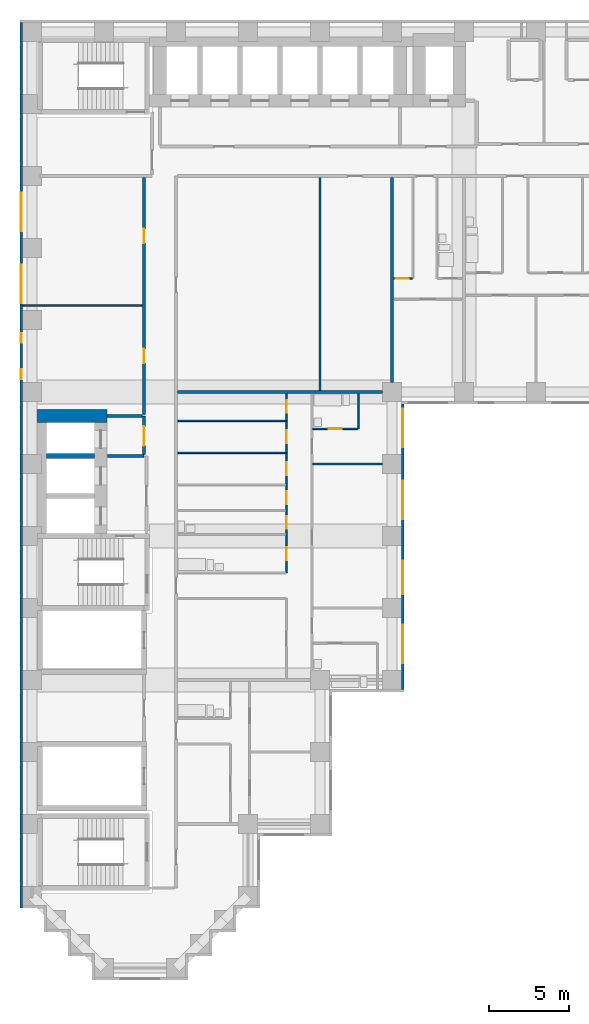
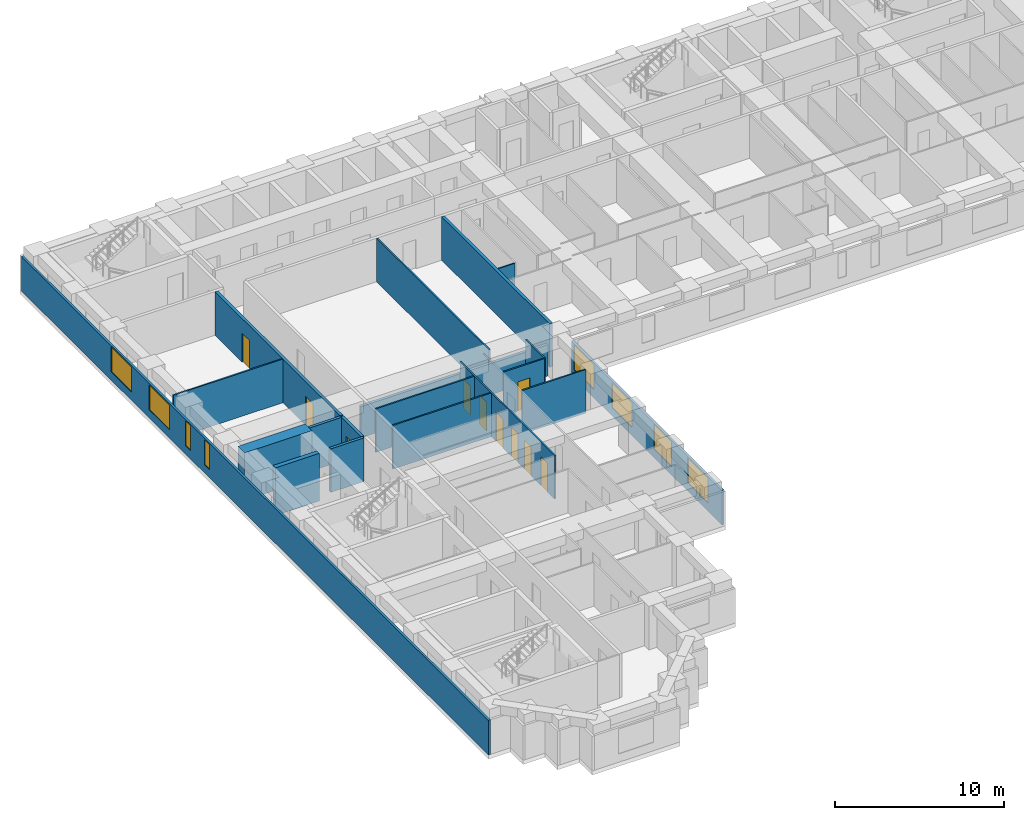
# One storey, part 4 of 13: 19 walls, 11 doors, 8 windows, 19 openings.
"""IFC4 building model written with IfcOpenShell, lengths in metres."""

from ifc_helpers import new_model, si_unit, direction, frame, frame_2d, origin, place, context, subcontext, project, spatial, rectangle, extrude, material, layer, layer_set, type_object, element, fill, save


model = new_model("IFC4")

# Units and contexts
model_context = context("Model", 3, precision=1e-05, world=origin(), true_north=direction((0.0, 1.0)))
body_context = subcontext(model_context, "Body", "Model", "MODEL_VIEW")
ifc_project = project(units=[si_unit("LENGTHUNIT", "METRE"), si_unit("AREAUNIT", "SQUARE_METRE"), si_unit("VOLUMEUNIT", "CUBIC_METRE"), si_unit("PLANEANGLEUNIT", "RADIAN"), si_unit("MASSUNIT", "GRAM", prefix="KILO")], contexts=[model_context])

# Site, building, storey
site_placement = place(None, origin())
site = spatial("IfcSite", under=ifc_project, at=site_placement, CompositionType="ELEMENT")
building_placement = place(site_placement, origin())
building = spatial("IfcBuilding", under=site, at=building_placement, Name="Firuza Court", CompositionType="ELEMENT")
storey_placement = place(building_placement, frame((0.0, 0.0, 104.60009765625)))
storey = spatial("IfcBuildingStorey", under=building, at=storey_placement, Name="L26", CompositionType="ELEMENT", Elevation=104.60009765625)

# Wall, opening, door
ifc_material_1 = material(Name="Moisture-resistant gypsum board partition")
ifc_layer_1 = layer(ifc_material_1, 0.10009765625)
ifc_layer_set_1 = layer_set([ifc_layer_1], Name="Moisture-resistant gypsum board partition")
wall_type_1 = type_object("IfcWallType", Name="Bathroom partition 100", PredefinedType="PLUMBINGWALL", material=ifc_layer_set_1)
wall_1_placement = place(storey_placement, frame((17.550048828125, 33.699951171875, 0.0), z_axis=(0.0, 0.0, 1.0), x_axis=(1.0, 0.0, 0.0)))
wall_1 = element("IfcWall", 1, at=wall_1_placement, inside=storey, type_object=wall_type_1, Name="Bathroom partition 100 L26", PredefinedType="PLUMBINGWALL", context=body_context, shape_type="SweptSolid", body=[
    extrude(rectangle(XDim=2.800048828125, YDim=0.10009765625, at=frame_2d((1.39990234375, 0.0))), origin(), (0.0, 0.0, 1.0), 3.14990234375),
])
opening_1_placement = place(wall_1_placement, frame((1.0, 0.0, 0.0)))
opening_1 = element("IfcOpeningElement", 2, at=opening_1_placement, cuts=wall_1, Name="Opening D26039", PredefinedType="OPENING", context=body_context, shape_type="SweptSolid", body=[
    extrude(rectangle(XDim=0.800048828125, YDim=2.10009765625, at=frame_2d((0.39990234375, 1.050048828125))), frame((0.0, 0.06201171875, 0.0), z_axis=(0.0, -1.0, 0.0), x_axis=(1.0, 0.0, 0.0)), (0.0, 0.0, 1.0), 0.1240234375),
])
ifc_material_2 = material(Name="Timber door leaf in hardwood frame", Category="wood")
door_type_1 = type_object("IfcDoorType", Name="Bathroom door 800", OperationType="SINGLE_SWING_LEFT", PredefinedType="DOOR", material=ifc_material_2)
door_1_placement = place(opening_1_placement, origin())
door_1 = element("IfcDoor", 3, at=door_1_placement, inside=storey, type_object=door_type_1, Name="En-suite door", OperationType="SINGLE_SWING_LEFT", OverallHeight=2.10009765625, OverallWidth=0.800048828125, PredefinedType="DOOR", context=body_context, shape_type="SweptSolid", body=[
    extrude(rectangle(XDim=0.800048828125, YDim=2.10009765625, at=frame_2d((0.39990234375, 1.050048828125))), frame((0.0, 0.02490234375, 0.0), z_axis=(0.0, -1.0, 0.0), x_axis=(1.0, 0.0, 0.0)), (0.0, 0.0, 1.0), 0.050048828125),
])
fill(opening_1, door_1)

# Walls
wall_2_placement = place(storey_placement, frame((20.39990234375, 33.699951171875, 0.0), z_axis=(0.0, 0.0, 1.0), x_axis=(0.0, 1.0, 0.0)))
element("IfcWall", 4, at=wall_2_placement, inside=storey, type_object=wall_type_1, Name="Bathroom partition 100 L26", PredefinedType="PLUMBINGWALL", context=body_context, shape_type="SweptSolid", body=[
    extrude(rectangle(XDim=2.199951171875, YDim=0.10009765625, at=frame_2d((1.10009765625, 0.0))), origin(), (0.0, 0.0, 1.0), 3.14990234375),
])
ifc_material_3 = material(Name="Concrete C60/75", Category="concrete")
ifc_layer_2 = layer(ifc_material_3, 0.300048828125)
ifc_layer_set_2 = layer_set([ifc_layer_2], Name="Concrete C60/75")
wall_type_2 = type_object("IfcWallType", Name="Core wall 300 C60/75", PredefinedType="SHEAR", material=ifc_layer_set_2)
wall_3_placement = place(storey_placement, frame((0.89990234375, 32.0, -0.300048828125), z_axis=(0.0, 0.0, 1.0), x_axis=(1.0, 0.0, 0.0)))
element("IfcWall", 5, at=wall_3_placement, inside=storey, type_object=wall_type_2, Name="Core wall lift shaft L26", PredefinedType="SHEAR", context=body_context, shape_type="SweptSolid", body=[
    extrude(rectangle(XDim=3.0, YDim=0.300048828125, at=frame_2d((1.5, 0.0))), origin(), (0.0, 0.0, 1.0), 3.449951171875),
])
ifc_layer_3 = layer(ifc_material_3, 0.800048828125)
ifc_layer_set_3 = layer_set([ifc_layer_3], Name="Concrete C60/75")
wall_type_3 = type_object("IfcWallType", Name="Core wall 800 C60/75", PredefinedType="SHEAR", material=ifc_layer_set_3)
wall_4_placement = place(storey_placement, frame((0.10009765625, 34.5, -0.300048828125), z_axis=(0.0, 0.0, 1.0), x_axis=(1.0, 0.0, 0.0)))
element("IfcWall", 6, at=wall_4_placement, inside=storey, type_object=wall_type_3, Name="Core wall lift shaft L26", PredefinedType="SHEAR", context=body_context, shape_type="SweptSolid", body=[
    extrude(rectangle(XDim=4.599853515625, YDim=0.800048828125, at=frame_2d((2.2998046875, 0.0))), origin(), (0.0, 0.0, 1.0), 3.449951171875),
])

# Wall, openings, doors
ifc_material_4 = material(Name="Blockwork, plastered both sides", Category="masonry")
ifc_layer_4 = layer(ifc_material_4, 0.199951171875)
ifc_layer_set_4 = layer_set([ifc_layer_4], Name="Blockwork, plastered both sides")
wall_type_4 = type_object("IfcWallType", Name="Corridor wall 200", PredefinedType="PARTITIONING", material=ifc_layer_set_4)
wall_5_placement = place(storey_placement, frame((7.0, 34.60009765625, 0.0), z_axis=(0.0, 0.0, 1.0), x_axis=(0.0, 1.0, 0.0)))
wall_5 = element("IfcWall", 7, at=wall_5_placement, inside=storey, type_object=wall_type_4, Name="Corridor wall 200 L26", PredefinedType="PARTITIONING", context=body_context, shape_type="SweptSolid", body=[
    extrude(rectangle(XDim=14.7998046875, YDim=0.199951171875, at=frame_2d((7.39990234375, 0.0))), origin(), (0.0, 0.0, 1.0), 3.14990234375),
])
opening_2_placement = place(wall_5_placement, frame((3.199951171875, 0.0, 0.0)))
opening_2 = element("IfcOpeningElement", 8, at=opening_2_placement, cuts=wall_5, Name="Opening D26040", PredefinedType="OPENING", context=body_context, shape_type="SweptSolid", body=[
    extrude(rectangle(XDim=0.89990234375, YDim=2.10009765625, at=frame_2d((0.449951171875, 1.050048828125))), frame((0.0, 0.11181640625, 0.0), z_axis=(0.0, -1.0, 0.0), x_axis=(1.0, 0.0, 0.0)), (0.0, 0.0, 1.0), 0.223876953125),
])
opening_3_placement = place(wall_5_placement, frame((10.699951171875, 0.0, 0.0)))
opening_3 = element("IfcOpeningElement", 9, at=opening_3_placement, cuts=wall_5, Name="Opening D26041", PredefinedType="OPENING", context=body_context, shape_type="SweptSolid", body=[
    extrude(rectangle(XDim=0.89990234375, YDim=2.10009765625, at=frame_2d((0.449951171875, 1.050048828125))), frame((0.0, 0.11181640625, 0.0), z_axis=(0.0, -1.0, 0.0), x_axis=(1.0, 0.0, 0.0)), (0.0, 0.0, 1.0), 0.223876953125),
])
ifc_material_5 = material(Name="Timber door leaf in hardwood frame", Category="wood")
door_type_2 = type_object("IfcDoorType", Name="Room door 900 EI 30", OperationType="SINGLE_SWING_LEFT", PredefinedType="DOOR", material=ifc_material_5)
door_2_placement = place(opening_2_placement, origin())
door_2 = element("IfcDoor", 10, at=door_2_placement, inside=storey, type_object=door_type_2, Name="Meeting room door", OperationType="SINGLE_SWING_LEFT", OverallHeight=2.10009765625, OverallWidth=0.89990234375, PredefinedType="DOOR", context=body_context, shape_type="SweptSolid", body=[
    extrude(rectangle(XDim=0.89990234375, YDim=2.10009765625, at=frame_2d((0.449951171875, 1.050048828125))), frame((0.0, 0.02490234375, 0.0), z_axis=(0.0, -1.0, 0.0), x_axis=(1.0, 0.0, 0.0)), (0.0, 0.0, 1.0), 0.050048828125),
])
fill(opening_2, door_2)
door_3_placement = place(opening_3_placement, origin())
door_3 = element("IfcDoor", 11, at=door_3_placement, inside=storey, type_object=door_type_2, Name="Meeting room door", OperationType="SINGLE_SWING_LEFT", OverallHeight=2.10009765625, OverallWidth=0.89990234375, PredefinedType="DOOR", context=body_context, shape_type="SweptSolid", body=[
    extrude(rectangle(XDim=0.89990234375, YDim=2.10009765625, at=frame_2d((0.449951171875, 1.050048828125))), frame((0.0, 0.02490234375, 0.0), z_axis=(0.0, -1.0, 0.0), x_axis=(1.0, 0.0, 0.0)), (0.0, 0.0, 1.0), 0.050048828125),
])
fill(opening_3, door_3)

ifc_material_6 = material(Name="Timber stud partition, plasterboard both sides", Category="wood")
ifc_layer_5 = layer(ifc_material_6, 0.10009765625)
ifc_layer_set_5 = layer_set([ifc_layer_5], Name="Timber stud partition, plasterboard both sides")
wall_type_5 = type_object("IfcWallType", Name="Partition wall 100", PredefinedType="PARTITIONING", material=ifc_layer_set_5)
wall_6_placement = place(storey_placement, frame((15.89990234375, 24.699951171875, 0.0), z_axis=(0.0, 0.0, 1.0), x_axis=(0.0, 1.0, 0.0)))
wall_6 = element("IfcWall", 12, at=wall_6_placement, inside=storey, type_object=wall_type_5, Name="Partition wall 100 L26", PredefinedType="PARTITIONING", context=body_context, shape_type="SweptSolid", body=[
    extrude(rectangle(XDim=11.199951171875, YDim=0.10009765625, at=frame_2d((5.60009765625, 0.0))), origin(), (0.0, 0.0, 1.0), 3.14990234375),
])
opening_4_placement = place(wall_6_placement, frame((0.800048828125, 0.0, 0.0)))
opening_4 = element("IfcOpeningElement", 13, at=opening_4_placement, cuts=wall_6, Name="Opening D26033", PredefinedType="OPENING", context=body_context, shape_type="SweptSolid", body=[
    extrude(rectangle(XDim=0.800048828125, YDim=2.10009765625, at=frame_2d((0.39990234375, 1.050048828125))), frame((0.0, 0.06201171875, 0.0), z_axis=(0.0, -1.0, 0.0), x_axis=(1.0, 0.0, 0.0)), (0.0, 0.0, 1.0), 0.1240234375),
])
opening_5_placement = place(wall_6_placement, frame((8.10009765625, 0.0, 0.0)))
opening_5 = element("IfcOpeningElement", 14, at=opening_5_placement, cuts=wall_6, Name="Opening D26034", PredefinedType="OPENING", context=body_context, shape_type="SweptSolid", body=[
    extrude(rectangle(XDim=0.800048828125, YDim=2.10009765625, at=frame_2d((0.39990234375, 1.050048828125))), frame((0.0, 0.06201171875, 0.0), z_axis=(0.0, -1.0, 0.0), x_axis=(1.0, 0.0, 0.0)), (0.0, 0.0, 1.0), 0.1240234375),
])
opening_6_placement = place(wall_6_placement, frame((4.300048828125, 0.0, 0.0)))
opening_6 = element("IfcOpeningElement", 15, at=opening_6_placement, cuts=wall_6, Name="Opening D26035", PredefinedType="OPENING", context=body_context, shape_type="SweptSolid", body=[
    extrude(rectangle(XDim=0.800048828125, YDim=2.10009765625, at=frame_2d((0.39990234375, 1.050048828125))), frame((0.0, 0.06201171875, 0.0), z_axis=(0.0, -1.0, 0.0), x_axis=(1.0, 0.0, 0.0)), (0.0, 0.0, 1.0), 0.1240234375),
])
opening_7_placement = place(wall_6_placement, frame((6.10009765625, 0.0, 0.0)))
opening_7 = element("IfcOpeningElement", 16, at=opening_7_placement, cuts=wall_6, Name="Opening D26036", PredefinedType="OPENING", context=body_context, shape_type="SweptSolid", body=[
    extrude(rectangle(XDim=0.800048828125, YDim=2.10009765625, at=frame_2d((0.39990234375, 1.050048828125))), frame((0.0, 0.06201171875, 0.0), z_axis=(0.0, -1.0, 0.0), x_axis=(1.0, 0.0, 0.0)), (0.0, 0.0, 1.0), 0.1240234375),
])
opening_8_placement = place(wall_6_placement, frame((10.0, 0.0, 0.0)))
opening_8 = element("IfcOpeningElement", 17, at=opening_8_placement, cuts=wall_6, Name="Opening D26037", PredefinedType="OPENING", context=body_context, shape_type="SweptSolid", body=[
    extrude(rectangle(XDim=0.800048828125, YDim=2.10009765625, at=frame_2d((0.39990234375, 1.050048828125))), frame((0.0, 0.06201171875, 0.0), z_axis=(0.0, -1.0, 0.0), x_axis=(1.0, 0.0, 0.0)), (0.0, 0.0, 1.0), 0.1240234375),
])
opening_9_placement = place(wall_6_placement, frame((2.75, 0.0, 0.0)))
opening_9 = element("IfcOpeningElement", 18, at=opening_9_placement, cuts=wall_6, Name="Opening D26038", PredefinedType="OPENING", context=body_context, shape_type="SweptSolid", body=[
    extrude(rectangle(XDim=0.800048828125, YDim=2.10009765625, at=frame_2d((0.39990234375, 1.050048828125))), frame((0.0, 0.06201171875, 0.0), z_axis=(0.0, -1.0, 0.0), x_axis=(1.0, 0.0, 0.0)), (0.0, 0.0, 1.0), 0.1240234375),
])
door_4_placement = place(opening_4_placement, origin())
door_4 = element("IfcDoor", 19, at=door_4_placement, inside=storey, type_object=door_type_1, Name="Bathroom door", OperationType="SINGLE_SWING_LEFT", OverallHeight=2.10009765625, OverallWidth=0.800048828125, PredefinedType="DOOR", context=body_context, shape_type="SweptSolid", body=[
    extrude(rectangle(XDim=0.800048828125, YDim=2.10009765625, at=frame_2d((0.39990234375, 1.050048828125))), frame((0.0, 0.02490234375, 0.0), z_axis=(0.0, -1.0, 0.0), x_axis=(1.0, 0.0, 0.0)), (0.0, 0.0, 1.0), 0.050048828125),
])
fill(opening_4, door_4)
door_5_placement = place(opening_9_placement, origin())
door_5 = element("IfcDoor", 20, at=door_5_placement, inside=storey, type_object=door_type_1, Name="Powder room door", OperationType="SINGLE_SWING_LEFT", OverallHeight=2.10009765625, OverallWidth=0.800048828125, PredefinedType="DOOR", context=body_context, shape_type="SweptSolid", body=[
    extrude(rectangle(XDim=0.800048828125, YDim=2.10009765625, at=frame_2d((0.39990234375, 1.050048828125))), frame((0.0, 0.02490234375, 0.0), z_axis=(0.0, -1.0, 0.0), x_axis=(1.0, 0.0, 0.0)), (0.0, 0.0, 1.0), 0.050048828125),
])
fill(opening_9, door_5)
ifc_material_7 = material(Name="Timber door leaf in hardwood frame", Category="wood")
door_type_3 = type_object("IfcDoorType", Name="Room door 800", OperationType="SINGLE_SWING_LEFT", PredefinedType="DOOR", material=ifc_material_7)
door_6_placement = place(opening_5_placement, origin())
door_6 = element("IfcDoor", 21, at=door_6_placement, inside=storey, type_object=door_type_3, Name="Pantry door", OperationType="SINGLE_SWING_LEFT", OverallHeight=2.10009765625, OverallWidth=0.800048828125, PredefinedType="DOOR", context=body_context, shape_type="SweptSolid", body=[
    extrude(rectangle(XDim=0.800048828125, YDim=2.10009765625, at=frame_2d((0.39990234375, 1.050048828125))), frame((0.0, 0.02490234375, 0.0), z_axis=(0.0, -1.0, 0.0), x_axis=(1.0, 0.0, 0.0)), (0.0, 0.0, 1.0), 0.050048828125),
])
fill(opening_5, door_6)
door_7_placement = place(opening_6_placement, origin())
door_7 = element("IfcDoor", 22, at=door_7_placement, inside=storey, type_object=door_type_3, Name="Store door", OperationType="SINGLE_SWING_LEFT", OverallHeight=2.10009765625, OverallWidth=0.800048828125, PredefinedType="DOOR", context=body_context, shape_type="SweptSolid", body=[
    extrude(rectangle(XDim=0.800048828125, YDim=2.10009765625, at=frame_2d((0.39990234375, 1.050048828125))), frame((0.0, 0.02490234375, 0.0), z_axis=(0.0, -1.0, 0.0), x_axis=(1.0, 0.0, 0.0)), (0.0, 0.0, 1.0), 0.050048828125),
])
fill(opening_6, door_7)
door_8_placement = place(opening_7_placement, origin())
door_8 = element("IfcDoor", 23, at=door_8_placement, inside=storey, type_object=door_type_3, Name="Utility room door", OperationType="SINGLE_SWING_LEFT", OverallHeight=2.10009765625, OverallWidth=0.800048828125, PredefinedType="DOOR", context=body_context, shape_type="SweptSolid", body=[
    extrude(rectangle(XDim=0.800048828125, YDim=2.10009765625, at=frame_2d((0.39990234375, 1.050048828125))), frame((0.0, 0.02490234375, 0.0), z_axis=(0.0, -1.0, 0.0), x_axis=(1.0, 0.0, 0.0)), (0.0, 0.0, 1.0), 0.050048828125),
])
fill(opening_7, door_8)
door_9_placement = place(opening_8_placement, origin())
door_9 = element("IfcDoor", 24, at=door_9_placement, inside=storey, type_object=door_type_3, Name="Walk-in wardrobe door", OperationType="SINGLE_SWING_LEFT", OverallHeight=2.10009765625, OverallWidth=0.800048828125, PredefinedType="DOOR", context=body_context, shape_type="SweptSolid", body=[
    extrude(rectangle(XDim=0.800048828125, YDim=2.10009765625, at=frame_2d((0.39990234375, 1.050048828125))), frame((0.0, 0.02490234375, 0.0), z_axis=(0.0, -1.0, 0.0), x_axis=(1.0, 0.0, 0.0)), (0.0, 0.0, 1.0), 0.050048828125),
])
fill(opening_8, door_9)

# Walls
wall_7_placement = place(storey_placement, frame((17.550048828125, 31.5, 0.0), z_axis=(0.0, 0.0, 1.0), x_axis=(1.0, 0.0, 0.0)))
element("IfcWall", 25, at=wall_7_placement, inside=storey, type_object=wall_type_5, Name="Partition wall 100 L26", PredefinedType="PARTITIONING", context=body_context, shape_type="SweptSolid", body=[
    extrude(rectangle(XDim=4.349853515625, YDim=0.10009765625, at=frame_2d((2.1748046875, 0.0))), origin(), (0.0, 0.0, 1.0), 3.14990234375),
])
for number, where, z_axis, x_axis, name in (
    (26, (9.10009765625, 32.199951171875, 0.0), (0.0, 0.0, 1.0), (1.0, 0.0, 0.0), "Partition wall 100 L26"),
    (27, (9.10009765625, 34.199951171875, 0.0), (0.0, 0.0, 1.0), (1.0, 0.0, 0.0), "Partition wall 100 L26"),
):
    element("IfcWall", number, at=place(storey_placement, frame(where, z_axis=z_axis, x_axis=x_axis)), inside=storey, type_object=wall_type_5, Name=name, PredefinedType="PARTITIONING", context=body_context, shape_type="SweptSolid", body=[
        extrude(rectangle(XDim=6.75, YDim=0.10009765625, at=frame_2d((3.375, 0.0))), origin(), (0.0, 0.0, 1.0), 3.14990234375),
    ])
wall_8_placement = place(storey_placement, frame((18.0, 36.10009765625, 0.0), z_axis=(0.0, 0.0, 1.0), x_axis=(0.0, 1.0, 0.0)))
element("IfcWall", 28, at=wall_8_placement, inside=storey, type_object=wall_type_5, Name="Partition wall 100 L26", PredefinedType="PARTITIONING", context=body_context, shape_type="SweptSolid", body=[
    extrude(rectangle(XDim=13.2998046875, YDim=0.10009765625, at=frame_2d((6.64990234375, 0.0))), origin(), (0.0, 0.0, 1.0), 3.14990234375),
])
wall_9_placement = place(storey_placement, frame((-0.60009765625, 41.39990234375, 0.0), z_axis=(0.0, 0.0, 1.0), x_axis=(1.0, 0.0, 0.0)))
element("IfcWall", 29, at=wall_9_placement, inside=storey, type_object=wall_type_5, Name="Partition wall 100 L26", PredefinedType="PARTITIONING", context=body_context, shape_type="SweptSolid", body=[
    extrude(rectangle(XDim=7.5, YDim=0.10009765625, at=frame_2d((3.75, 0.0))), origin(), (0.0, 0.0, 1.0), 3.14990234375),
])

# Wall, opening, door
wall_10_placement = place(storey_placement, frame((22.60009765625, 43.10009765625, 0.0), z_axis=(0.0, 0.0, 1.0), x_axis=(1.0, 0.0, 0.0)))
wall_10 = element("IfcWall", 30, at=wall_10_placement, inside=storey, type_object=wall_type_5, Name="Partition wall 100 L26", PredefinedType="PARTITIONING", context=body_context, shape_type="SweptSolid", body=[
    extrude(rectangle(XDim=1.14990234375, YDim=0.10009765625, at=frame_2d((0.574951171875, 0.0))), origin(), (0.0, 0.0, 1.0), 3.14990234375),
])
opening_10_placement = place(wall_10_placement, frame((0.14990234375, 0.0, 0.0)))
opening_10 = element("IfcOpeningElement", 31, at=opening_10_placement, cuts=wall_10, Name="Opening D26053", PredefinedType="OPENING", context=body_context, shape_type="SweptSolid", body=[
    extrude(rectangle(XDim=0.800048828125, YDim=2.10009765625, at=frame_2d((0.39990234375, 1.050048828125))), frame((0.0, 0.06201171875, 0.0), z_axis=(0.0, -1.0, 0.0), x_axis=(1.0, 0.0, 0.0)), (0.0, 0.0, 1.0), 0.1240234375),
])
door_10_placement = place(opening_10_placement, origin())
door_10 = element("IfcDoor", 32, at=door_10_placement, inside=storey, type_object=door_type_3, Name="Kitchen door", OperationType="SINGLE_SWING_LEFT", OverallHeight=2.10009765625, OverallWidth=0.800048828125, PredefinedType="DOOR", context=body_context, shape_type="SweptSolid", body=[
    extrude(rectangle(XDim=0.800048828125, YDim=2.10009765625, at=frame_2d((0.39990234375, 1.050048828125))), frame((0.0, 0.02490234375, 0.0), z_axis=(0.0, -1.0, 0.0), x_axis=(1.0, 0.0, 0.0)), (0.0, 0.0, 1.0), 0.050048828125),
])
fill(opening_10, door_10)

# Walls
ifc_layer_6 = layer(ifc_material_4, 0.199951171875)
ifc_layer_set_6 = layer_set([ifc_layer_6], Name="Blockwork, plastered both sides")
wall_type_6 = type_object("IfcWallType", Name="Party wall 200", PredefinedType="PARTITIONING", material=ifc_layer_set_6)
wall_11_placement = place(storey_placement, frame((9.10009765625, 36.0, 0.0), z_axis=(0.0, 0.0, 1.0), x_axis=(1.0, 0.0, 0.0)))
element("IfcWall", 33, at=wall_11_placement, inside=storey, type_object=wall_type_6, Name="Party wall 200 L26", PredefinedType="PARTITIONING", context=body_context, shape_type="SweptSolid", body=[
    extrude(rectangle(XDim=12.7998046875, YDim=0.199951171875, at=frame_2d((6.39990234375, 0.0))), origin(), (0.0, 0.0, 1.0), 2.25),
])
wall_12_placement = place(storey_placement, frame((22.5, 36.60009765625, 0.0), z_axis=(0.0, 0.0, 1.0), x_axis=(0.0, 1.0, 0.0)))
element("IfcWall", 34, at=wall_12_placement, inside=storey, type_object=wall_type_6, Name="Party wall 200 L26", PredefinedType="PARTITIONING", context=body_context, shape_type="SweptSolid", body=[
    extrude(rectangle(XDim=12.7998046875, YDim=0.199951171875, at=frame_2d((6.39990234375, 0.0))), origin(), (0.0, 0.0, 1.0), 3.14990234375),
])

# Wall, openings, windows
ifc_material_8 = material(Name="Ceramic tile", Category="ceramic")
ifc_layer_7 = layer(ifc_material_8, 0.02001953125)
ifc_material_9 = material(Name="Mineral wool insulation", Category="insulation")
ifc_layer_8 = layer(ifc_material_9, 0.050048828125)
ifc_material_10 = material(Name="Concrete C40/50 precast", Category="concrete")
ifc_layer_9 = layer(ifc_material_10, 0.080078125)
ifc_layer_set_7 = layer_set([ifc_layer_7, ifc_layer_8, ifc_layer_9], Name="Concrete C40/50 precast")
wall_type_7 = type_object("IfcWallType", Name="Precast cladding wall with turquoise TILE PANEL face 150", PredefinedType="STANDARD", material=ifc_layer_set_7)
wall_13_placement = place(storey_placement, frame((23.175048828125, 17.39990234375, 0.0), z_axis=(0.0, 0.0, 1.0), x_axis=(0.0, 1.0, 0.0)))
wall_13 = element("IfcWall", 35, at=wall_13_placement, inside=storey, type_object=wall_type_7, Name="Facade wall L26 E", PredefinedType="STANDARD", context=body_context, shape_type="SweptSolid", body=[
    extrude(rectangle(XDim=17.85009765625, YDim=0.14990234375, at=frame_2d((8.925048828125, 0.0))), origin(), (0.0, 0.0, 1.0), 2.5),
])
opening_11_placement = place(wall_13_placement, frame((1.64990234375, 0.0, 0.60009765625)))
opening_11 = element("IfcOpeningElement", 36, at=opening_11_placement, cuts=wall_13, Name="Opening W1", PredefinedType="OPENING", context=body_context, shape_type="SweptSolid", body=[
    extrude(rectangle(XDim=2.39990234375, YDim=1.800048828125, at=frame_2d((1.199951171875, 0.89990234375))), frame((0.0, 0.0869140625, 0.0), z_axis=(0.0, -1.0, 0.0), x_axis=(1.0, 0.0, 0.0)), (0.0, 0.0, 1.0), 0.173828125),
])
opening_12_placement = place(wall_13_placement, frame((5.9580078125, 0.0, 0.60009765625)))
opening_12 = element("IfcOpeningElement", 37, at=opening_12_placement, cuts=wall_13, Name="Opening W6", PredefinedType="OPENING", context=body_context, shape_type="SweptSolid", body=[
    extrude(rectangle(XDim=2.10009765625, YDim=1.800048828125, at=frame_2d((1.050048828125, 0.89990234375))), frame((0.0, 0.0869140625, 0.0), z_axis=(0.0, -1.0, 0.0), x_axis=(1.0, 0.0, 0.0)), (0.0, 0.0, 1.0), 0.173828125),
])
opening_13_placement = place(wall_13_placement, frame((10.64990234375, 0.0, 0.60009765625)))
opening_13 = element("IfcOpeningElement", 38, at=opening_13_placement, cuts=wall_13, Name="Opening W1", PredefinedType="OPENING", context=body_context, shape_type="SweptSolid", body=[
    extrude(rectangle(XDim=2.39990234375, YDim=1.800048828125, at=frame_2d((1.199951171875, 0.89990234375))), frame((0.0, 0.0869140625, 0.0), z_axis=(0.0, -1.0, 0.0), x_axis=(1.0, 0.0, 0.0)), (0.0, 0.0, 1.0), 0.173828125),
])
opening_14_placement = place(wall_13_placement, frame((15.14990234375, 0.0, 0.60009765625)))
opening_14 = element("IfcOpeningElement", 39, at=opening_14_placement, cuts=wall_13, Name="Opening W1", PredefinedType="OPENING", context=body_context, shape_type="SweptSolid", body=[
    extrude(rectangle(XDim=2.39990234375, YDim=1.800048828125, at=frame_2d((1.199951171875, 0.89990234375))), frame((0.0, 0.0869140625, 0.0), z_axis=(0.0, -1.0, 0.0), x_axis=(1.0, 0.0, 0.0)), (0.0, 0.0, 1.0), 0.173828125),
])
ifc_material_11 = material(Name="Aluminium frame, triple clear glazing", Category="aluminium")
window_type_1 = type_object("IfcWindowType", Name="Window W1 2400 x 1800", PartitioningType="SINGLE_PANEL", PredefinedType="WINDOW", material=ifc_material_11)
window_1_placement = place(opening_11_placement, origin())
window_1 = element("IfcWindow", 40, at=window_1_placement, inside=storey, type_object=window_type_1, Name="Window L26", OverallHeight=1.800048828125, OverallWidth=2.39990234375, PartitioningType="SINGLE_PANEL", PredefinedType="WINDOW", context=body_context, shape_type="SweptSolid", body=[
    extrude(rectangle(XDim=2.39990234375, YDim=1.800048828125, at=frame_2d((1.199951171875, 0.89990234375))), frame((0.0, 0.030029296875, 0.0), z_axis=(0.0, -1.0, 0.0), x_axis=(1.0, 0.0, 0.0)), (0.0, 0.0, 1.0), 0.06005859375),
])
fill(opening_11, window_1)
window_2_placement = place(opening_13_placement, origin())
window_2 = element("IfcWindow", 41, at=window_2_placement, inside=storey, type_object=window_type_1, Name="Window L26", OverallHeight=1.800048828125, OverallWidth=2.39990234375, PartitioningType="SINGLE_PANEL", PredefinedType="WINDOW", context=body_context, shape_type="SweptSolid", body=[
    extrude(rectangle(XDim=2.39990234375, YDim=1.800048828125, at=frame_2d((1.199951171875, 0.89990234375))), frame((0.0, 0.030029296875, 0.0), z_axis=(0.0, -1.0, 0.0), x_axis=(1.0, 0.0, 0.0)), (0.0, 0.0, 1.0), 0.06005859375),
])
fill(opening_13, window_2)
window_3_placement = place(opening_14_placement, origin())
window_3 = element("IfcWindow", 42, at=window_3_placement, inside=storey, type_object=window_type_1, Name="Window L26", OverallHeight=1.800048828125, OverallWidth=2.39990234375, PartitioningType="SINGLE_PANEL", PredefinedType="WINDOW", context=body_context, shape_type="SweptSolid", body=[
    extrude(rectangle(XDim=2.39990234375, YDim=1.800048828125, at=frame_2d((1.199951171875, 0.89990234375))), frame((0.0, 0.030029296875, 0.0), z_axis=(0.0, -1.0, 0.0), x_axis=(1.0, 0.0, 0.0)), (0.0, 0.0, 1.0), 0.06005859375),
])
fill(opening_14, window_3)
ifc_material_12 = material(Name="Aluminium frame, triple clear glazing", Category="aluminium")
window_type_2 = type_object("IfcWindowType", Name="Window W6 2100 x 1800", PartitioningType="SINGLE_PANEL", PredefinedType="WINDOW", material=ifc_material_12)
window_4_placement = place(opening_12_placement, origin())
window_4 = element("IfcWindow", 43, at=window_4_placement, inside=storey, type_object=window_type_2, Name="Window L26", OverallHeight=1.800048828125, OverallWidth=2.10009765625, PartitioningType="SINGLE_PANEL", PredefinedType="WINDOW", context=body_context, shape_type="SweptSolid", body=[
    extrude(rectangle(XDim=2.10009765625, YDim=1.800048828125, at=frame_2d((1.050048828125, 0.89990234375))), frame((0.0, 0.030029296875, 0.0), z_axis=(0.0, -1.0, 0.0), x_axis=(1.0, 0.0, 0.0)), (0.0, 0.0, 1.0), 0.06005859375),
])
fill(opening_12, window_4)

wall_14_placement = place(storey_placement, frame((-0.675048828125, 59.10009765625, 0.0), z_axis=(0.0, 0.0, 1.0), x_axis=(0.0, -1.0, 0.0)))
wall_14 = element("IfcWall", 44, at=wall_14_placement, inside=storey, type_object=wall_type_7, Name="Facade wall L26 W", PredefinedType="STANDARD", context=body_context, shape_type="SweptSolid", body=[
    extrude(rectangle(XDim=55.35009765625, YDim=0.14990234375, at=frame_2d((27.675048828125, 0.0))), origin(), (0.0, 0.0, 1.0), 2.5),
])
opening_15_placement = place(wall_14_placement, frame((10.64990234375, 0.0, 0.60009765625)))
opening_15 = element("IfcOpeningElement", 45, at=opening_15_placement, cuts=wall_14, Name="Opening W1", PredefinedType="OPENING", context=body_context, shape_type="SweptSolid", body=[
    extrude(rectangle(XDim=2.39990234375, YDim=1.800048828125, at=frame_2d((1.199951171875, 0.89990234375))), frame((0.0, 0.0869140625, 0.0), z_axis=(0.0, -1.0, 0.0), x_axis=(1.0, 0.0, 0.0)), (0.0, 0.0, 1.0), 0.173828125),
])
opening_16_placement = place(wall_14_placement, frame((15.14990234375, 0.0, 0.60009765625)))
opening_16 = element("IfcOpeningElement", 46, at=opening_16_placement, cuts=wall_14, Name="Opening W1", PredefinedType="OPENING", context=body_context, shape_type="SweptSolid", body=[
    extrude(rectangle(XDim=2.39990234375, YDim=1.800048828125, at=frame_2d((1.199951171875, 0.89990234375))), frame((0.0, 0.0869140625, 0.0), z_axis=(0.0, -1.0, 0.0), x_axis=(1.0, 0.0, 0.0)), (0.0, 0.0, 1.0), 0.173828125),
])
opening_17_placement = place(wall_14_placement, frame((19.434326171875, 0.0, 0.60009765625)))
opening_17 = element("IfcOpeningElement", 47, at=opening_17_placement, cuts=wall_14, Name="Opening W4", PredefinedType="OPENING", context=body_context, shape_type="SweptSolid", body=[
    extrude(rectangle(XDim=0.60009765625, YDim=1.800048828125, at=frame_2d((0.300048828125, 0.89990234375))), frame((0.0, 0.0869140625, 0.0), z_axis=(0.0, -1.0, 0.0), x_axis=(1.0, 0.0, 0.0)), (0.0, 0.0, 1.0), 0.173828125),
])
opening_18_placement = place(wall_14_placement, frame((21.69189453125, 0.0, 0.60009765625)))
opening_18 = element("IfcOpeningElement", 48, at=opening_18_placement, cuts=wall_14, Name="Opening W4", PredefinedType="OPENING", context=body_context, shape_type="SweptSolid", body=[
    extrude(rectangle(XDim=0.60009765625, YDim=1.800048828125, at=frame_2d((0.300048828125, 0.89990234375))), frame((0.0, 0.0869140625, 0.0), z_axis=(0.0, -1.0, 0.0), x_axis=(1.0, 0.0, 0.0)), (0.0, 0.0, 1.0), 0.173828125),
])
window_5_placement = place(opening_15_placement, origin())
window_5 = element("IfcWindow", 49, at=window_5_placement, inside=storey, type_object=window_type_1, Name="Window L26", OverallHeight=1.800048828125, OverallWidth=2.39990234375, PartitioningType="SINGLE_PANEL", PredefinedType="WINDOW", context=body_context, shape_type="SweptSolid", body=[
    extrude(rectangle(XDim=2.39990234375, YDim=1.800048828125, at=frame_2d((1.199951171875, 0.89990234375))), frame((0.0, 0.030029296875, 0.0), z_axis=(0.0, -1.0, 0.0), x_axis=(1.0, 0.0, 0.0)), (0.0, 0.0, 1.0), 0.06005859375),
])
fill(opening_15, window_5)
window_6_placement = place(opening_16_placement, origin())
window_6 = element("IfcWindow", 50, at=window_6_placement, inside=storey, type_object=window_type_1, Name="Window L26", OverallHeight=1.800048828125, OverallWidth=2.39990234375, PartitioningType="SINGLE_PANEL", PredefinedType="WINDOW", context=body_context, shape_type="SweptSolid", body=[
    extrude(rectangle(XDim=2.39990234375, YDim=1.800048828125, at=frame_2d((1.199951171875, 0.89990234375))), frame((0.0, 0.030029296875, 0.0), z_axis=(0.0, -1.0, 0.0), x_axis=(1.0, 0.0, 0.0)), (0.0, 0.0, 1.0), 0.06005859375),
])
fill(opening_16, window_6)
ifc_material_13 = material(Name="Aluminium frame, triple clear glazing", Category="aluminium")
window_type_3 = type_object("IfcWindowType", Name="Window W4 600 x 1800", PartitioningType="SINGLE_PANEL", PredefinedType="WINDOW", material=ifc_material_13)
window_7_placement = place(opening_17_placement, origin())
window_7 = element("IfcWindow", 51, at=window_7_placement, inside=storey, type_object=window_type_3, Name="Window L26", OverallHeight=1.800048828125, OverallWidth=0.60009765625, PartitioningType="SINGLE_PANEL", PredefinedType="WINDOW", context=body_context, shape_type="SweptSolid", body=[
    extrude(rectangle(XDim=0.60009765625, YDim=1.800048828125, at=frame_2d((0.300048828125, 0.89990234375))), frame((0.0, 0.030029296875, 0.0), z_axis=(0.0, -1.0, 0.0), x_axis=(1.0, 0.0, 0.0)), (0.0, 0.0, 1.0), 0.06005859375),
])
fill(opening_17, window_7)
window_8_placement = place(opening_18_placement, origin())
window_8 = element("IfcWindow", 52, at=window_8_placement, inside=storey, type_object=window_type_3, Name="Window L26", OverallHeight=1.800048828125, OverallWidth=0.60009765625, PartitioningType="SINGLE_PANEL", PredefinedType="WINDOW", context=body_context, shape_type="SweptSolid", body=[
    extrude(rectangle(XDim=0.60009765625, YDim=1.800048828125, at=frame_2d((0.300048828125, 0.89990234375))), frame((0.0, 0.030029296875, 0.0), z_axis=(0.0, -1.0, 0.0), x_axis=(1.0, 0.0, 0.0)), (0.0, 0.0, 1.0), 0.06005859375),
])
fill(opening_18, window_8)

# Wall
ifc_material_14 = material(Name="Blockwork, fire-rated", Category="masonry")
ifc_layer_10 = layer(ifc_material_14, 0.199951171875)
ifc_layer_set_8 = layer_set([ifc_layer_10], Name="Blockwork, fire-rated")
wall_type_8 = type_object("IfcWallType", Name="Shaft wall 200", PredefinedType="PARTITIONING", material=ifc_layer_set_8)
wall_15_placement = place(storey_placement, frame((4.719970703125, 32.0, 0.0), z_axis=(0.0, 0.0, 1.0), x_axis=(1.0, 0.0, 0.0)))
element("IfcWall", 53, at=wall_15_placement, inside=storey, type_object=wall_type_8, Name="Shaft wall 200 L26", PredefinedType="PARTITIONING", context=body_context, shape_type="SweptSolid", body=[
    extrude(rectangle(XDim=2.280029296875, YDim=0.199951171875, at=frame_2d((1.14013671875, 0.0))), origin(), (0.0, 0.0, 1.0), 3.14990234375),
])

# Wall, opening, door
wall_16_placement = place(storey_placement, frame((7.0, 32.10009765625, 0.0), z_axis=(0.0, 0.0, 1.0), x_axis=(0.0, 1.0, 0.0)))
wall_16 = element("IfcWall", 54, at=wall_16_placement, inside=storey, type_object=wall_type_8, Name="Shaft wall 200 L26", PredefinedType="PARTITIONING", context=body_context, shape_type="SweptSolid", body=[
    extrude(rectangle(XDim=2.39990234375, YDim=0.199951171875, at=frame_2d((1.199951171875, 0.0))), origin(), (0.0, 0.0, 1.0), 3.14990234375),
])
opening_19_placement = place(wall_16_placement, frame((0.550048828125, 0.0, 0.0)))
opening_19 = element("IfcOpeningElement", 55, at=opening_19_placement, cuts=wall_16, Name="Opening D26008", PredefinedType="OPENING", context=body_context, shape_type="SweptSolid", body=[
    extrude(rectangle(XDim=1.199951171875, YDim=2.10009765625, at=frame_2d((0.60009765625, 1.050048828125))), frame((0.0, 0.11181640625, 0.0), z_axis=(0.0, -1.0, 0.0), x_axis=(1.0, 0.0, 0.0)), (0.0, 0.0, 1.0), 0.223876953125),
])
ifc_material_15 = material(Name="Timber door leaf in hardwood frame", Category="wood")
door_type_4 = type_object("IfcDoorType", Name="Lobby door 1200", OperationType="SINGLE_SWING_LEFT", PredefinedType="DOOR", material=ifc_material_15)
door_11_placement = place(opening_19_placement, origin())
door_11 = element("IfcDoor", 56, at=door_11_placement, inside=storey, type_object=door_type_4, Name="Lobby door", OperationType="SINGLE_SWING_LEFT", OverallHeight=2.10009765625, OverallWidth=1.199951171875, PredefinedType="DOOR", context=body_context, shape_type="SweptSolid", body=[
    extrude(rectangle(XDim=1.199951171875, YDim=2.10009765625, at=frame_2d((0.60009765625, 1.050048828125))), frame((0.0, 0.02490234375, 0.0), z_axis=(0.0, -1.0, 0.0), x_axis=(1.0, 0.0, 0.0)), (0.0, 0.0, 1.0), 0.050048828125),
])
fill(opening_19, door_11)

# Wall
wall_17_placement = place(storey_placement, frame((4.699951171875, 34.5, 0.0), z_axis=(0.0, 0.0, 1.0), x_axis=(1.0, 0.0, 0.0)))
element("IfcWall", 57, at=wall_17_placement, inside=storey, type_object=wall_type_8, Name="Shaft wall 200 L26", PredefinedType="PARTITIONING", context=body_context, shape_type="SweptSolid", body=[
    extrude(rectangle(XDim=2.199951171875, YDim=0.199951171875, at=frame_2d((1.10009765625, 0.0))), origin(), (0.0, 0.0, 1.0), 3.14990234375),
])

save(model, "model.ifc")
